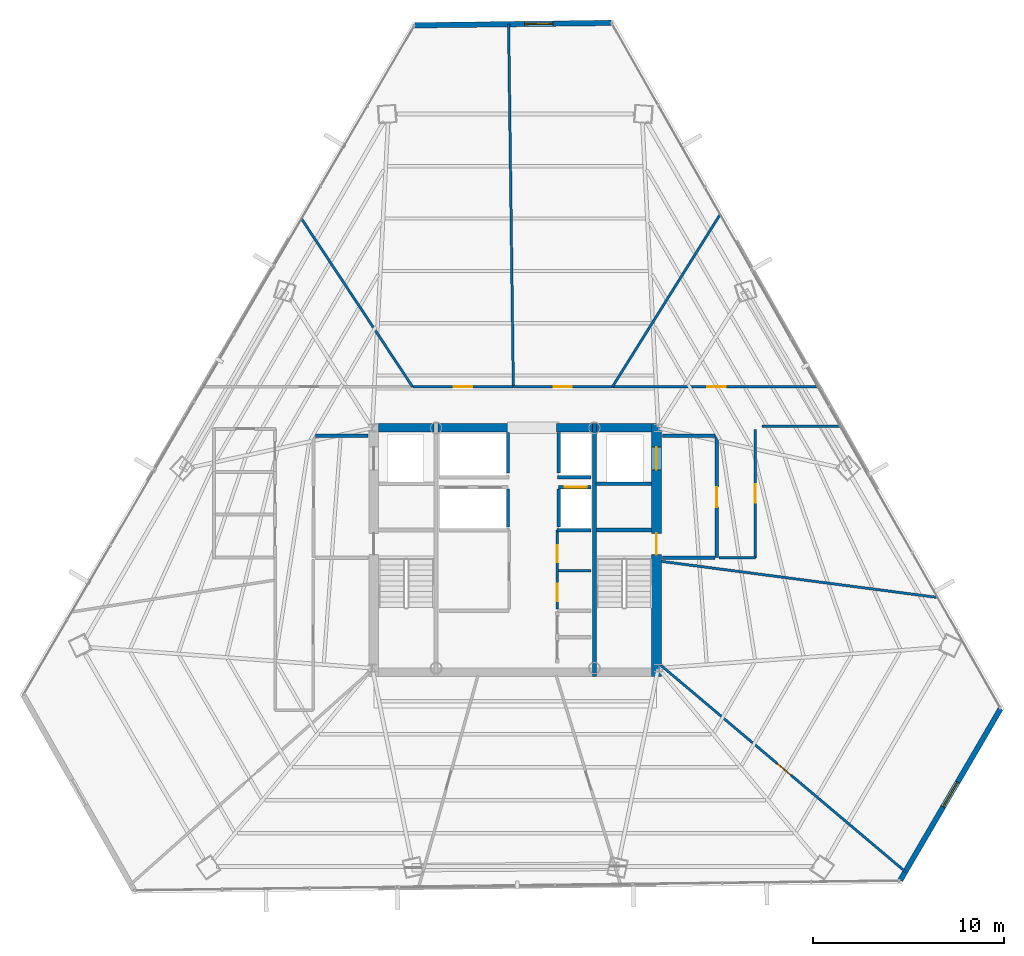
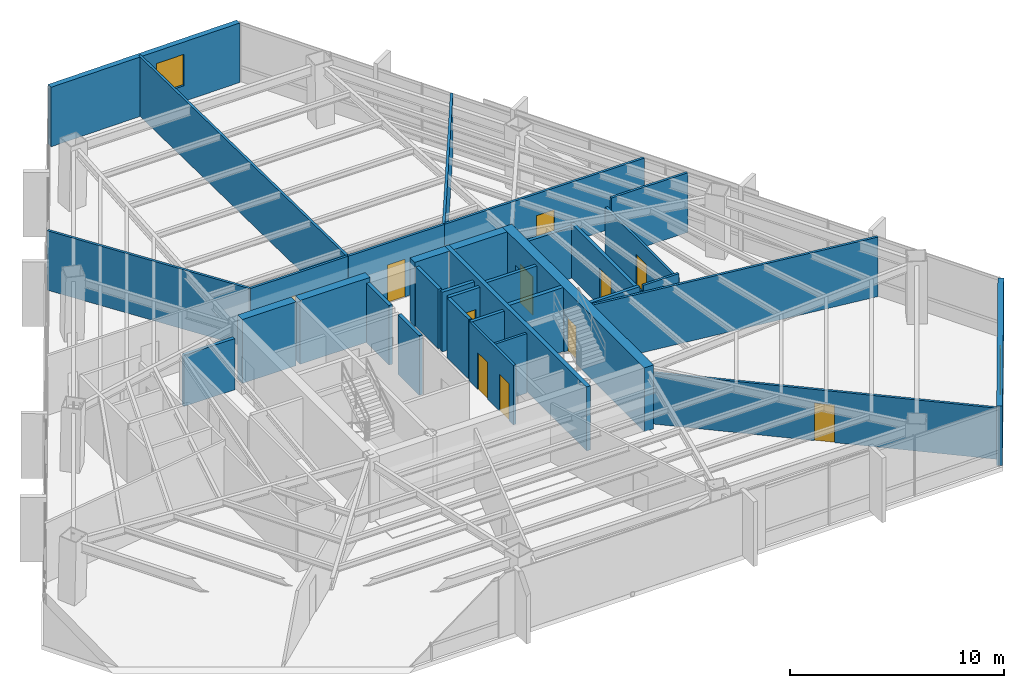
# One storey, part 37 of 41: 34 walls, 11 doors, 2 windows, 13 openings.
"""IFC4 building model written with IfcOpenShell, lengths in metres."""

from ifc_helpers import new_model, si_unit, direction, frame, frame_2d, origin, place, context, subcontext, project, spatial, rectangle, extrude, material, layer, layer_set, type_object, element, fill, save


model = new_model("IFC4")

# Units and contexts
model_context = context("Model", 3, precision=1e-05, world=origin(), true_north=direction((0.0, 1.0)))
body_context = subcontext(model_context, "Body", "Model", "MODEL_VIEW")
ifc_project = project(units=[si_unit("LENGTHUNIT", "METRE"), si_unit("AREAUNIT", "SQUARE_METRE"), si_unit("VOLUMEUNIT", "CUBIC_METRE"), si_unit("PLANEANGLEUNIT", "RADIAN"), si_unit("MASSUNIT", "GRAM", prefix="KILO")], contexts=[model_context])

# Site, building, storey
site_placement = place(None, origin())
site = spatial("IfcSite", under=ifc_project, at=site_placement, CompositionType="ELEMENT")
building_placement = place(site_placement, origin())
building = spatial("IfcBuilding", under=site, at=building_placement, Name="Caelisora Broadcast Tower", CompositionType="ELEMENT")
storey_placement = place(building_placement, frame((0.0, 0.0, 135.449951171875)))
storey = spatial("IfcBuildingStorey", under=building, at=storey_placement, Name="L35", CompositionType="ELEMENT", Elevation=135.449951171875)

# Wall, openings, doors
ifc_material_1 = material(Name="Concrete 50 MPa (AS 3600 S50)", Category="concrete")
ifc_layer_1 = layer(ifc_material_1, 0.5, Name="Concrete 50 MPa (AS 3600 S50)")
ifc_layer_set_1 = layer_set([ifc_layer_1], Name="Concrete 50 MPa (AS 3600 S50)")
wall_type_1 = type_object("IfcWallType", Name="CW2", PredefinedType="SHEAR", material=ifc_layer_set_1)
wall_1_placement = place(storey_placement, frame((45.409912109375, 16.949951171875, 0.0), z_axis=(0.0, 0.0, 1.0), x_axis=(0.0, 1.0, 0.0)))
wall_1 = element("IfcWall", 1, at=wall_1_placement, inside=storey, type_object=wall_type_1, Name="L35 core shear wall CW2", PredefinedType="SHEAR", context=body_context, shape_type="SweptSolid", body=[
    extrude(rectangle(XDim=13.275146484375, YDim=0.5, at=frame_2d((6.6376953125, 0.0))), origin(), (0.0, 0.0, 1.0), 3.650146484375),
])
opening_1_placement = place(wall_1_placement, frame((6.39990234375, 0.0, 0.0)))
opening_1 = element("IfcOpeningElement", 2, at=opening_1_placement, cuts=wall_1, Name="Opening FD04", PredefinedType="OPENING", context=body_context, shape_type="SweptSolid", body=[
    extrude(rectangle(XDim=1.1201171875, YDim=2.14990234375, at=frame_2d((0.56005859375, 1.074951171875))), frame((0.0, 0.261962890625, 0.0), z_axis=(0.0, -1.0, 0.0), x_axis=(1.0, 0.0, 0.0)), (0.0, 0.0, 1.0), 0.52392578125),
])
opening_2_placement = place(wall_1_placement, frame((10.85009765625, 0.0, 0.0)))
opening_2 = element("IfcOpeningElement", 3, at=opening_2_placement, cuts=wall_1, Name="Opening LD04", PredefinedType="OPENING", context=body_context, shape_type="SweptSolid", body=[
    extrude(rectangle(XDim=1.199951171875, YDim=2.199951171875, at=frame_2d((0.60009765625, 1.10009765625))), frame((0.0, 0.261962890625, 0.0), z_axis=(0.0, -1.0, 0.0), x_axis=(1.0, 0.0, 0.0)), (0.0, 0.0, 1.0), 0.52392578125),
])
ifc_material_2 = material(Name="Pressurised Fire-Isolated Stair Door", Category="steel")
door_type_1 = type_object("IfcDoorType", Name="FD04", OperationType="NOTDEFINED", PredefinedType="DOOR", material=ifc_material_2)
door_1_placement = place(opening_1_placement, origin())
door_1 = element("IfcDoor", 4, at=door_1_placement, inside=storey, type_object=door_type_1, Name="L35 door FD04 (L35-DR-ST2)", OperationType="SINGLE_SWING_RIGHT", OverallHeight=2.14990234375, OverallWidth=1.1201171875, PredefinedType="DOOR", context=body_context, shape_type="SweptSolid", body=[
    extrude(rectangle(XDim=1.1201171875, YDim=2.14990234375, at=frame_2d((0.56005859375, 1.074951171875))), frame((0.0, 0.02490234375, 0.0), z_axis=(0.0, -1.0, 0.0), x_axis=(1.0, 0.0, 0.0)), (0.0, 0.0, 1.0), 0.050048828125),
])
fill(opening_1, door_1)
ifc_material_3 = material(Name="Emergency Firefighting Lift Sliding Landing Door", Category="steel")
door_type_2 = type_object("IfcDoorType", Name="LD04", OperationType="NOTDEFINED", PredefinedType="DOOR", material=ifc_material_3)
door_2_placement = place(opening_2_placement, origin())
door_2 = element("IfcDoor", 5, at=door_2_placement, inside=storey, type_object=door_type_2, Name="L35 door LD04 (L35-LD-FFL2)", OperationType="SLIDING_TO_RIGHT", OverallHeight=2.199951171875, OverallWidth=1.199951171875, PredefinedType="DOOR", context=body_context, shape_type="SweptSolid", body=[
    extrude(rectangle(XDim=1.199951171875, YDim=2.199951171875, at=frame_2d((0.60009765625, 1.10009765625))), frame((0.0, 0.02490234375, 0.0), z_axis=(0.0, -1.0, 0.0), x_axis=(1.0, 0.0, 0.0)), (0.0, 0.0, 1.0), 0.050048828125),
])
fill(opening_2, door_2)

# Walls
ifc_layer_2 = layer(ifc_material_1, 0.449951171875, Name="Concrete 50 MPa (AS 3600 S50)")
ifc_layer_set_2 = layer_set([ifc_layer_2], Name="Concrete 50 MPa (AS 3600 S50)")
wall_type_2 = type_object("IfcWallType", Name="CW5", PredefinedType="SHEAR", material=ifc_layer_set_2)
wall_2_placement = place(storey_placement, frame((30.840087890625, 30.0, 0.0), z_axis=(0.0, 0.0, 1.0), x_axis=(1.0, 0.0, 0.0)))
element("IfcWall", 6, at=wall_2_placement, inside=storey, type_object=wall_type_2, Name="L35 core shear wall CW5", PredefinedType="SHEAR", context=body_context, shape_type="SweptSolid", body=[
    extrude(rectangle(XDim=2.89990234375, YDim=0.449951171875, at=frame_2d((1.449951171875, 0.0))), origin(), (0.0, 0.0, 1.0), 3.650146484375),
])
wall_3_placement = place(storey_placement, frame((33.9599609375, 30.0, 0.0), z_axis=(0.0, 0.0, 1.0), x_axis=(1.0, 0.0, 0.0)))
element("IfcWall", 7, at=wall_3_placement, inside=storey, type_object=wall_type_2, Name="L35 core shear wall CW5", PredefinedType="SHEAR", context=body_context, shape_type="SweptSolid", body=[
    extrude(rectangle(XDim=3.780029296875, YDim=0.449951171875, at=frame_2d((1.89013671875, 0.0))), origin(), (0.0, 0.0, 1.0), 3.650146484375),
])
wall_4_placement = place(storey_placement, frame((40.159912109375, 30.0, 0.0), z_axis=(0.0, 0.0, 1.0), x_axis=(1.0, 0.0, 0.0)))
element("IfcWall", 8, at=wall_4_placement, inside=storey, type_object=wall_type_2, Name="L35 core shear wall CW5", PredefinedType="SHEAR", context=body_context, shape_type="SweptSolid", body=[
    extrude(rectangle(XDim=1.880126953125, YDim=0.449951171875, at=frame_2d((0.93994140625, 0.0))), origin(), (0.0, 0.0, 1.0), 3.650146484375),
])
wall_5_placement = place(storey_placement, frame((42.260009765625, 30.0, 0.0), z_axis=(0.0, 0.0, 1.0), x_axis=(1.0, 0.0, 0.0)))
element("IfcWall", 9, at=wall_5_placement, inside=storey, type_object=wall_type_2, Name="L35 core shear wall CW5", PredefinedType="SHEAR", context=body_context, shape_type="SweptSolid", body=[
    extrude(rectangle(XDim=2.89990234375, YDim=0.449951171875, at=frame_2d((1.449951171875, 0.0))), origin(), (0.0, 0.0, 1.0), 3.650146484375),
])
ifc_layer_3 = layer(ifc_material_1, 0.219970703125, Name="Concrete 50 MPa (AS 3600 S50)")
ifc_layer_set_3 = layer_set([ifc_layer_3], Name="Concrete 50 MPa (AS 3600 S50)")
wall_type_3 = type_object("IfcWallType", Name="CW7", PredefinedType="SHEAR", material=ifc_layer_set_3)
wall_6_placement = place(storey_placement, frame((42.14990234375, 16.949951171875, 0.0), z_axis=(0.0, 0.0, 1.0), x_axis=(0.0, 1.0, 0.0)))
element("IfcWall", 10, at=wall_6_placement, inside=storey, type_object=wall_type_3, Name="L35 core shear wall CW7", PredefinedType="SHEAR", context=body_context, shape_type="SweptSolid", body=[
    extrude(rectangle(XDim=13.275146484375, YDim=0.219970703125, at=frame_2d((6.6376953125, 0.0))), origin(), (0.0, 0.0, 1.0), 3.650146484375),
])
wall_7_placement = place(storey_placement, frame((42.260009765625, 24.639892578125, 0.0), z_axis=(0.0, 0.0, 1.0), x_axis=(1.0, 0.0, 0.0)))
element("IfcWall", 11, at=wall_7_placement, inside=storey, type_object=wall_type_3, Name="L35 core shear wall CW7", PredefinedType="SHEAR", context=body_context, shape_type="SweptSolid", body=[
    extrude(rectangle(XDim=2.89990234375, YDim=0.219970703125, at=frame_2d((1.449951171875, 0.0))), origin(), (0.0, 0.0, 1.0), 3.650146484375),
])

# Wall, opening, window
ifc_material_4 = material(Name="Insulated Terracotta Spandrel Wall System", Category="masonry")
ifc_layer_4 = layer(ifc_material_4, 0.280029296875, Name="Insulated Terracotta Spandrel Wall System")
ifc_layer_set_4 = layer_set([ifc_layer_4], Name="Insulated Terracotta Spandrel Wall System")
wall_type_4 = type_object("IfcWallType", Name="EW1", PredefinedType="STANDARD", material=ifc_layer_set_4)
wall_8_placement = place(storey_placement, frame((63.447998046875, 15.260986328125, 0.0), z_axis=(0.0, 0.0, 1.0), x_axis=(-0.504621827694, -0.86334049541, 0.0)))
wall_8 = element("IfcWall", 12, at=wall_8_placement, inside=storey, type_object=wall_type_4, Name="L35 exterior envelope wall EW1", PredefinedType="STANDARD", context=body_context, shape_type="SweptSolid", body=[
    extrude(rectangle(XDim=10.40966796875, YDim=0.280029296875, at=frame_2d((5.204833984375, 0.0))), origin(), (0.0, 0.0, 1.0), 3.400146484375),
])
opening_3_placement = place(wall_8_placement, frame((4.449951171875, 0.0, 0.89990234375)))
opening_3 = element("IfcOpeningElement", 13, at=opening_3_placement, cuts=wall_8, Name="Opening W02", PredefinedType="OPENING", context=body_context, shape_type="SweptSolid", body=[
    extrude(rectangle(XDim=1.5, YDim=1.800048828125, at=frame_2d((0.75, 0.89990234375))), frame((0.0, 0.152099609375, 0.0), z_axis=(0.0, -1.0, 0.0), x_axis=(1.0, 0.0, 0.0)), (0.0, 0.0, 1.0), 0.303955078125),
])
ifc_material_5 = material(Name="Double Glazed Terracotta-Framed Vision Window", Category="glass")
window_type = type_object("IfcWindowType", Name="W02", PartitioningType="SINGLE_PANEL", PredefinedType="WINDOW", material=ifc_material_5)
window_1_placement = place(opening_3_placement, origin())
window_1 = element("IfcWindow", 14, at=window_1_placement, inside=storey, type_object=window_type, Name="L35 window W02 (L35-WN-CH0)", OverallHeight=1.800048828125, OverallWidth=1.5, PartitioningType="SINGLE_PANEL", PredefinedType="WINDOW", context=body_context, shape_type="SweptSolid", body=[
    extrude(rectangle(XDim=1.5, YDim=1.800048828125, at=frame_2d((0.75, 0.89990234375))), frame((0.0, 0.030029296875, 0.0), z_axis=(0.0, -1.0, 0.0), x_axis=(1.0, 0.0, 0.0)), (0.0, 0.0, 1.0), 0.06005859375),
])
fill(opening_3, window_1)

wall_9_placement = place(storey_placement, frame((32.748046875, 51.115478515625, 0.0), z_axis=(0.0, 0.0, 1.0), x_axis=(0.999919814308, 0.012663528514, 0.0)))
wall_9 = element("IfcWall", 15, at=wall_9_placement, inside=storey, type_object=wall_type_4, Name="L35 exterior envelope wall EW1", PredefinedType="STANDARD", context=body_context, shape_type="SweptSolid", body=[
    extrude(rectangle(XDim=10.275634765625, YDim=0.280029296875, at=frame_2d((5.1376953125, 0.0))), origin(), (0.0, 0.0, 1.0), 3.400146484375),
])
opening_4_placement = place(wall_9_placement, frame((5.739990234375, 0.0, 0.89990234375)))
opening_4 = element("IfcOpeningElement", 16, at=opening_4_placement, cuts=wall_9, Name="Opening W02", PredefinedType="OPENING", context=body_context, shape_type="SweptSolid", body=[
    extrude(rectangle(XDim=1.5, YDim=1.800048828125, at=frame_2d((0.75, 0.89990234375))), frame((0.0, 0.152099609375, 0.0), z_axis=(0.0, -1.0, 0.0), x_axis=(1.0, 0.0, 0.0)), (0.0, 0.0, 1.0), 0.303955078125),
])
window_2_placement = place(opening_4_placement, origin())
window_2 = element("IfcWindow", 17, at=window_2_placement, inside=storey, type_object=window_type, Name="L35 window W02 (L35-WN-CH8)", OverallHeight=1.800048828125, OverallWidth=1.5, PartitioningType="SINGLE_PANEL", PredefinedType="WINDOW", context=body_context, shape_type="SweptSolid", body=[
    extrude(rectangle(XDim=1.5, YDim=1.800048828125, at=frame_2d((0.75, 0.89990234375))), frame((0.0, 0.030029296875, 0.0), z_axis=(0.0, -1.0, 0.0), x_axis=(1.0, 0.0, 0.0)), (0.0, 0.0, 1.0), 0.06005859375),
])
fill(opening_4, window_2)

# Wall, opening, door
ifc_material_6 = material(Name="Fire-Rated Gypsum Shaft and Compartment Wall", Category="gypsum")
ifc_layer_5 = layer(ifc_material_6, 0.179931640625, Name="Fire-Rated Gypsum Shaft and Compartment Wall")
ifc_layer_set_5 = layer_set([ifc_layer_5], Name="Fire-Rated Gypsum Shaft and Compartment Wall")
wall_type_5 = type_object("IfcWallType", Name="PW2", PredefinedType="PARTITIONING", material=ifc_layer_set_5)
wall_10_placement = place(storey_placement, frame((40.280029296875, 26.89990234375, 0.0), z_axis=(0.0, 0.0, 1.0), x_axis=(1.0, 0.0, 0.0)))
wall_10 = element("IfcWall", 18, at=wall_10_placement, inside=storey, type_object=wall_type_5, Name="L35 fire compartment wall PW2", PredefinedType="PARTITIONING", context=body_context, shape_type="SweptSolid", body=[
    extrude(rectangle(XDim=1.699951171875, YDim=0.179931640625, at=frame_2d((0.85009765625, 0.0))), origin(), (0.0, 0.0, 1.0), 3.400146484375),
])
opening_5_placement = place(wall_10_placement, frame((0.320068359375, 0.0, 0.0)))
opening_5 = element("IfcOpeningElement", 19, at=opening_5_placement, cuts=wall_10, Name="Opening LD02", PredefinedType="OPENING", context=body_context, shape_type="SweptSolid", body=[
    extrude(rectangle(XDim=1.14990234375, YDim=2.199951171875, at=frame_2d((0.574951171875, 1.10009765625))), frame((0.0, 0.10205078125, 0.0), z_axis=(0.0, -1.0, 0.0), x_axis=(1.0, 0.0, 0.0)), (0.0, 0.0, 1.0), 0.203857421875),
])
ifc_material_7 = material(Name="High-Speed Express Lift Sliding Landing Door", Category="steel")
door_type_3 = type_object("IfcDoorType", Name="LD02", OperationType="NOTDEFINED", PredefinedType="DOOR", material=ifc_material_7)
door_3_placement = place(opening_5_placement, origin())
door_3 = element("IfcDoor", 20, at=door_3_placement, inside=storey, type_object=door_type_3, Name="L35 door LD02 (L35-LD-PLM3)", OperationType="SLIDING_TO_LEFT", OverallHeight=2.199951171875, OverallWidth=1.14990234375, PredefinedType="DOOR", context=body_context, shape_type="SweptSolid", body=[
    extrude(rectangle(XDim=1.14990234375, YDim=2.199951171875, at=frame_2d((0.574951171875, 1.10009765625))), frame((0.0, 0.02490234375, 0.0), z_axis=(0.0, -1.0, 0.0), x_axis=(1.0, 0.0, 0.0)), (0.0, 0.0, 1.0), 0.050048828125),
])
fill(opening_5, door_3)

# Walls
for number, where, z_axis, x_axis, name in (
    (21, (37.6201171875, 24.800048828125, 0.0), (0.0, 0.0, 1.0), (0.0, 1.0, 0.0), "L35 fire compartment wall PW2"),
    (22, (40.280029296875, 24.800048828125, 0.0), (0.0, 0.0, 1.0), (0.0, 1.0, 0.0), "L35 fire compartment wall PW2"),
):
    element("IfcWall", number, at=place(storey_placement, frame(where, z_axis=z_axis, x_axis=x_axis)), inside=storey, type_object=wall_type_5, Name=name, PredefinedType="PARTITIONING", context=body_context, shape_type="SweptSolid", body=[
        extrude(rectangle(XDim=2.0, YDim=0.179931640625, at=frame_2d((1.0, 0.0))), origin(), (0.0, 0.0, 1.0), 3.400146484375),
    ])
wall_11_placement = place(storey_placement, frame((40.199951171875, 24.639892578125, 0.0), z_axis=(0.0, 0.0, 1.0), x_axis=(1.0, 0.0, 0.0)))
element("IfcWall", 23, at=wall_11_placement, inside=storey, type_object=wall_type_5, Name="L35 fire compartment wall PW2", PredefinedType="PARTITIONING", context=body_context, shape_type="SweptSolid", body=[
    extrude(rectangle(XDim=1.780029296875, YDim=0.179931640625, at=frame_2d((0.89013671875, 0.0))), origin(), (0.0, 0.0, 1.0), 3.400146484375),
])
wall_12_placement = place(storey_placement, frame((40.219970703125, 27.419921875, 0.0), z_axis=(0.0, 0.0, 1.0), x_axis=(1.0, 0.0, 0.0)))
element("IfcWall", 24, at=wall_12_placement, inside=storey, type_object=wall_type_5, Name="L35 fire compartment wall PW2", PredefinedType="PARTITIONING", context=body_context, shape_type="SweptSolid", body=[
    extrude(rectangle(XDim=1.760009765625, YDim=0.179931640625, at=frame_2d((0.8798828125, 0.0))), origin(), (0.0, 0.0, 1.0), 3.400146484375),
])
for number, where, z_axis, x_axis, name in (
    (25, (37.6201171875, 27.639892578125, 0.0), (0.0, 0.0, 1.0), (0.0, 1.0, 0.0), "L35 fire compartment wall PW2"),
    (26, (40.280029296875, 27.639892578125, 0.0), (0.0, 0.0, 1.0), (0.0, 1.0, 0.0), "L35 fire compartment wall PW2"),
):
    element("IfcWall", number, at=place(storey_placement, frame(where, z_axis=z_axis, x_axis=x_axis)), inside=storey, type_object=wall_type_5, Name=name, PredefinedType="PARTITIONING", context=body_context, shape_type="SweptSolid", body=[
        extrude(rectangle(XDim=2.110107421875, YDim=0.179931640625, at=frame_2d((1.05517578125, 0.0))), origin(), (0.0, 0.0, 1.0), 3.400146484375),
    ])
wall_13_placement = place(storey_placement, frame((27.52001953125, 29.60009765625, 0.0), z_axis=(0.0, 0.0, 1.0), x_axis=(1.0, 0.0, 0.0)))
element("IfcWall", 27, at=wall_13_placement, inside=storey, type_object=wall_type_5, Name="L35 fire compartment wall PW2", PredefinedType="PARTITIONING", context=body_context, shape_type="SweptSolid", body=[
    extrude(rectangle(XDim=2.760009765625, YDim=0.179931640625, at=frame_2d((1.3798828125, 0.0))), origin(), (0.0, 0.0, 1.0), 2.924560546875),
])

# Wall, opening, door
wall_14_placement = place(storey_placement, frame((48.580078125, 23.199951171875, 0.0), z_axis=(0.0, 0.0, 1.0), x_axis=(0.0, 1.0, 0.0)))
wall_14 = element("IfcWall", 28, at=wall_14_placement, inside=storey, type_object=wall_type_5, Name="L35 fire compartment wall PW2", PredefinedType="PARTITIONING", context=body_context, shape_type="SweptSolid", body=[
    extrude(rectangle(XDim=6.400146484375, YDim=0.179931640625, at=frame_2d((3.2001953125, 0.0))), origin(), (0.0, 0.0, 1.0), 3.077880859375),
])
opening_6_placement = place(wall_14_placement, frame((2.64990234375, 0.0, 0.0)))
opening_6 = element("IfcOpeningElement", 29, at=opening_6_placement, cuts=wall_14, Name="Opening FD02", PredefinedType="OPENING", context=body_context, shape_type="SweptSolid", body=[
    extrude(rectangle(XDim=1.050048828125, YDim=2.14990234375, at=frame_2d((0.52490234375, 1.074951171875))), frame((0.0, 0.10205078125, 0.0), z_axis=(0.0, -1.0, 0.0), x_axis=(1.0, 0.0, 0.0)), (0.0, 0.0, 1.0), 0.203857421875),
])
ifc_material_8 = material(Name="Single-Leaf Steel Fire Lobby Door", Category="steel")
door_type_4 = type_object("IfcDoorType", Name="FD02", OperationType="NOTDEFINED", PredefinedType="DOOR", material=ifc_material_8)
door_4_placement = place(opening_6_placement, origin())
door_4 = element("IfcDoor", 30, at=door_4_placement, inside=storey, type_object=door_type_4, Name="L35 door FD02 (L35-DR-P04D1)", OperationType="SINGLE_SWING_LEFT", OverallHeight=2.14990234375, OverallWidth=1.050048828125, PredefinedType="DOOR", context=body_context, shape_type="SweptSolid", body=[
    extrude(rectangle(XDim=1.050048828125, YDim=2.14990234375, at=frame_2d((0.52490234375, 1.074951171875))), frame((0.0, 0.02490234375, 0.0), z_axis=(0.0, -1.0, 0.0), x_axis=(1.0, 0.0, 0.0)), (0.0, 0.0, 1.0), 0.050048828125),
])
fill(opening_6, door_4)

# Walls
wall_15_placement = place(storey_placement, frame((45.719970703125, 23.199951171875, 0.0), z_axis=(0.0, 0.0, 1.0), x_axis=(1.0, 0.0, 0.0)))
element("IfcWall", 31, at=wall_15_placement, inside=storey, type_object=wall_type_5, Name="L35 fire compartment wall PW2", PredefinedType="PARTITIONING", context=body_context, shape_type="SweptSolid", body=[
    extrude(rectangle(XDim=2.760009765625, YDim=0.179931640625, at=frame_2d((1.3798828125, 0.0))), origin(), (0.0, 0.0, 1.0), 3.400146484375),
])
wall_16_placement = place(storey_placement, frame((45.719970703125, 29.60009765625, 0.0), z_axis=(0.0, 0.0, 1.0), x_axis=(1.0, 0.0, 0.0)))
element("IfcWall", 32, at=wall_16_placement, inside=storey, type_object=wall_type_5, Name="L35 fire compartment wall PW2", PredefinedType="PARTITIONING", context=body_context, shape_type="SweptSolid", body=[
    extrude(rectangle(XDim=2.760009765625, YDim=0.179931640625, at=frame_2d((1.3798828125, 0.0))), origin(), (0.0, 0.0, 1.0), 2.924560546875),
])
wall_17_placement = place(storey_placement, frame((42.239990234375, 27.070068359375, 0.0), z_axis=(0.0, 0.0, 1.0), x_axis=(1.0, 0.0, 0.0)))
element("IfcWall", 33, at=wall_17_placement, inside=storey, type_object=wall_type_5, Name="L35 fire compartment wall PW2", PredefinedType="PARTITIONING", context=body_context, shape_type="SweptSolid", body=[
    extrude(rectangle(XDim=2.89990234375, YDim=0.179931640625, at=frame_2d((1.449951171875, 0.0))), origin(), (0.0, 0.0, 1.0), 3.400146484375),
])
ifc_material_9 = material(Name="Acoustic Steel-Stud Plasterboard Partition", Category="gypsum")
ifc_layer_6 = layer(ifc_material_9, 0.1298828125, Name="Acoustic Steel-Stud Plasterboard Partition")
ifc_layer_set_6 = layer_set([ifc_layer_6], Name="Acoustic Steel-Stud Plasterboard Partition")
wall_type_6 = type_object("IfcWallType", Name="PW3", PredefinedType="PARTITIONING", material=ifc_layer_set_6)
wall_18_placement = place(storey_placement, frame((40.280029296875, 22.5, 0.0), z_axis=(0.0, 0.0, 1.0), x_axis=(1.0, 0.0, 0.0)))
element("IfcWall", 34, at=wall_18_placement, inside=storey, type_object=wall_type_6, Name="L35 internal partition PW3", PredefinedType="PARTITIONING", context=body_context, shape_type="SweptSolid", body=[
    extrude(rectangle(XDim=1.699951171875, YDim=0.1298828125, at=frame_2d((0.85009765625, 0.0))), origin(), (0.0, 0.0, 1.0), 3.400146484375),
])

# Wall, openings, doors
wall_19_placement = place(storey_placement, frame((40.199951171875, 20.5, 0.0), z_axis=(0.0, 0.0, 1.0), x_axis=(0.0, 1.0, 0.0)))
wall_19 = element("IfcWall", 35, at=wall_19_placement, inside=storey, type_object=wall_type_6, Name="L35 internal partition PW3", PredefinedType="PARTITIONING", context=body_context, shape_type="SweptSolid", body=[
    extrude(rectangle(XDim=4.139892578125, YDim=0.1298828125, at=frame_2d((2.06982421875, 0.0))), origin(), (0.0, 0.0, 1.0), 3.400146484375),
])
opening_7_placement = place(wall_19_placement, frame((0.419921875, 0.0, 0.0)))
opening_7 = element("IfcOpeningElement", 36, at=opening_7_placement, cuts=wall_19, Name="Opening FD03", PredefinedType="OPENING", context=body_context, shape_type="SweptSolid", body=[
    extrude(rectangle(XDim=0.89990234375, YDim=2.10009765625, at=frame_2d((0.449951171875, 1.050048828125))), frame((0.0, 0.076904296875, 0.0), z_axis=(0.0, -1.0, 0.0), x_axis=(1.0, 0.0, 0.0)), (0.0, 0.0, 1.0), 0.15380859375),
])
opening_8_placement = place(wall_19_placement, frame((2.449951171875, 0.0, 0.0)))
opening_8 = element("IfcOpeningElement", 37, at=opening_8_placement, cuts=wall_19, Name="Opening FD03", PredefinedType="OPENING", context=body_context, shape_type="SweptSolid", body=[
    extrude(rectangle(XDim=0.89990234375, YDim=2.10009765625, at=frame_2d((0.449951171875, 1.050048828125))), frame((0.0, 0.076904296875, 0.0), z_axis=(0.0, -1.0, 0.0), x_axis=(1.0, 0.0, 0.0)), (0.0, 0.0, 1.0), 0.15380859375),
])
ifc_material_10 = material(Name="Single-Leaf Steel Riser Fire Access Door", Category="steel")
door_type_5 = type_object("IfcDoorType", Name="FD03", OperationType="NOTDEFINED", PredefinedType="DOOR", material=ifc_material_10)
door_5_placement = place(opening_7_placement, origin())
door_5 = element("IfcDoor", 38, at=door_5_placement, inside=storey, type_object=door_type_5, Name="L35 door FD03 (L35-DR-P13D1)", OperationType="SINGLE_SWING_LEFT", OverallHeight=2.10009765625, OverallWidth=0.89990234375, PredefinedType="DOOR", context=body_context, shape_type="SweptSolid", body=[
    extrude(rectangle(XDim=0.89990234375, YDim=2.10009765625, at=frame_2d((0.449951171875, 1.050048828125))), frame((0.0, 0.02490234375, 0.0), z_axis=(0.0, -1.0, 0.0), x_axis=(1.0, 0.0, 0.0)), (0.0, 0.0, 1.0), 0.050048828125),
])
fill(opening_7, door_5)
door_6_placement = place(opening_8_placement, origin())
door_6 = element("IfcDoor", 39, at=door_6_placement, inside=storey, type_object=door_type_5, Name="L35 door FD03 (L35-DR-P13D2)", OperationType="SINGLE_SWING_RIGHT", OverallHeight=2.10009765625, OverallWidth=0.89990234375, PredefinedType="DOOR", context=body_context, shape_type="SweptSolid", body=[
    extrude(rectangle(XDim=0.89990234375, YDim=2.10009765625, at=frame_2d((0.449951171875, 1.050048828125))), frame((0.0, 0.02490234375, 0.0), z_axis=(0.0, -1.0, 0.0), x_axis=(1.0, 0.0, 0.0)), (0.0, 0.0, 1.0), 0.050048828125),
])
fill(opening_8, door_6)

# Wall
wall_20_placement = place(storey_placement, frame((37.6513671875, 51.1826171875, 0.0), z_axis=(0.0, 0.0, 1.0), x_axis=(0.013060717886, -0.999914705187, 0.0)))
element("IfcWall", 40, at=wall_20_placement, inside=storey, type_object=wall_type_6, Name="L35 internal partition PW3", PredefinedType="PARTITIONING", context=body_context, shape_type="SweptSolid", body=[
    extrude(rectangle(XDim=19.029296875, YDim=0.1298828125, at=frame_2d((9.5146484375, 0.0))), origin(), (0.0, 0.0, 1.0), 3.400146484375),
])

# Wall, opening, door
wall_21_placement = place(storey_placement, frame((45.656982421875, 17.531982421875, 0.0), z_axis=(0.0, 0.0, 1.0), x_axis=(0.764236058159, -0.644936622785, 0.0)))
wall_21 = element("IfcWall", 41, at=wall_21_placement, inside=storey, type_object=wall_type_6, Name="L35 internal partition PW3", PredefinedType="PARTITIONING", context=body_context, shape_type="SweptSolid", body=[
    extrude(rectangle(XDim=16.75830078125, YDim=0.1298828125, at=frame_2d((8.379150390625, 0.0))), origin(), (0.0, 0.0, 1.0), 2.924560546875),
])
opening_9_placement = place(wall_21_placement, frame((7.948974609375, 0.0, 0.0)))
opening_9 = element("IfcOpeningElement", 42, at=opening_9_placement, cuts=wall_21, Name="Opening D01", PredefinedType="OPENING", context=body_context, shape_type="SweptSolid", body=[
    extrude(rectangle(XDim=0.9599609375, YDim=2.14990234375, at=frame_2d((0.47998046875, 1.074951171875))), frame((0.0, 0.076904296875, 0.0), z_axis=(0.0, -1.0, 0.0), x_axis=(1.0, 0.0, 0.0)), (0.0, 0.0, 1.0), 0.15380859375),
])
ifc_material_11 = material(Name="Solid-Core Timber Acoustic Office Door", Category="wood")
door_type_6 = type_object("IfcDoorType", Name="D01", OperationType="NOTDEFINED", PredefinedType="DOOR", material=ifc_material_11)
door_7_placement = place(opening_9_placement, origin())
door_7 = element("IfcDoor", 43, at=door_7_placement, inside=storey, type_object=door_type_6, Name="L35 door D01 (L35-DR-P28D1)", OperationType="SINGLE_SWING_RIGHT", OverallHeight=2.14990234375, OverallWidth=0.9599609375, PredefinedType="DOOR", context=body_context, shape_type="SweptSolid", body=[
    extrude(rectangle(XDim=0.9599609375, YDim=2.14990234375, at=frame_2d((0.47998046875, 1.074951171875))), frame((0.0, 0.02490234375, 0.0), z_axis=(0.0, -1.0, 0.0), x_axis=(1.0, 0.0, 0.0)), (0.0, 0.0, 1.0), 0.050048828125),
])
fill(opening_9, door_7)

# Wall
wall_22_placement = place(storey_placement, frame((45.674072265625, 23.0, 0.0), z_axis=(0.0, 0.0, 1.0), x_axis=(0.991568990445, -0.129579848696, 0.0)))
element("IfcWall", 44, at=wall_22_placement, inside=storey, type_object=wall_type_6, Name="L35 internal partition PW3", PredefinedType="PARTITIONING", context=body_context, shape_type="SweptSolid", body=[
    extrude(rectangle(XDim=14.614990234375, YDim=0.1298828125, at=frame_2d((7.3076171875, 0.0))), origin(), (0.0, 0.0, 1.0), 3.400146484375),
])

# Wall, opening, door
wall_23_placement = place(storey_placement, frame((43.094970703125, 32.14990234375, 0.0), z_axis=(0.0, 0.0, 1.0), x_axis=(1.0, 0.0, 0.0)))
wall_23 = element("IfcWall", 45, at=wall_23_placement, inside=storey, type_object=wall_type_6, Name="L35 internal partition PW3", PredefinedType="PARTITIONING", context=body_context, shape_type="SweptSolid", body=[
    extrude(rectangle(XDim=10.802490234375, YDim=0.1298828125, at=frame_2d((5.4013671875, 0.0))), origin(), (0.0, 0.0, 1.0), 3.400146484375),
])
opening_10_placement = place(wall_23_placement, frame((4.97705078125, 0.0, 0.0)))
opening_10 = element("IfcOpeningElement", 46, at=opening_10_placement, cuts=wall_23, Name="Opening D01", PredefinedType="OPENING", context=body_context, shape_type="SweptSolid", body=[
    extrude(rectangle(XDim=0.9599609375, YDim=2.14990234375, at=frame_2d((0.47998046875, 1.074951171875))), frame((0.0, 0.076904296875, 0.0), z_axis=(0.0, -1.0, 0.0), x_axis=(1.0, 0.0, 0.0)), (0.0, 0.0, 1.0), 0.15380859375),
])
door_8_placement = place(opening_10_placement, origin())
door_8 = element("IfcDoor", 47, at=door_8_placement, inside=storey, type_object=door_type_6, Name="L35 door D01 (L35-DR-P35D1)", OperationType="SINGLE_SWING_LEFT", OverallHeight=2.14990234375, OverallWidth=0.9599609375, PredefinedType="DOOR", context=body_context, shape_type="SweptSolid", body=[
    extrude(rectangle(XDim=0.9599609375, YDim=2.14990234375, at=frame_2d((0.47998046875, 1.074951171875))), frame((0.0, 0.02490234375, 0.0), z_axis=(0.0, -1.0, 0.0), x_axis=(1.0, 0.0, 0.0)), (0.0, 0.0, 1.0), 0.050048828125),
])
fill(opening_10, door_8)

# Walls
wall_24_placement = place(storey_placement, frame((43.093017578125, 32.154052734375, 0.0), z_axis=(0.0, 0.0, 1.0), x_axis=(0.530044140733, 0.847970051874, 0.0)))
element("IfcWall", 48, at=wall_24_placement, inside=storey, type_object=wall_type_6, Name="L35 internal partition PW3", PredefinedType="PARTITIONING", context=body_context, shape_type="SweptSolid", body=[
    extrude(rectangle(XDim=10.680908203125, YDim=0.1298828125, at=frame_2d((5.34033203125, 0.0))), origin(), (0.0, 0.0, 1.0), 3.400146484375),
])
wall_25_placement = place(storey_placement, frame((26.7861328125, 40.974853515625, 0.0), z_axis=(0.0, 0.0, 1.0), x_axis=(0.551440367019, -0.834214313964, 0.0)))
element("IfcWall", 49, at=wall_25_placement, inside=storey, type_object=wall_type_6, Name="L35 internal partition PW3", PredefinedType="PARTITIONING", context=body_context, shape_type="SweptSolid", body=[
    extrude(rectangle(XDim=10.57373046875, YDim=0.1298828125, at=frame_2d((5.286865234375, 0.0))), origin(), (0.0, 0.0, 1.0), 3.400146484375),
])

# Wall, opening, door
wall_26_placement = place(storey_placement, frame((50.60009765625, 23.18505859375, 0.0), z_axis=(0.0, 0.0, 1.0), x_axis=(0.0, 1.0, 0.0)))
wall_26 = element("IfcWall", 50, at=wall_26_placement, inside=storey, type_object=wall_type_6, Name="L35 internal partition PW3", PredefinedType="PARTITIONING", context=body_context, shape_type="SweptSolid", body=[
    extrude(rectangle(XDim=6.744873046875, YDim=0.1298828125, at=frame_2d((3.37255859375, 0.0))), origin(), (0.0, 0.0, 1.0), 3.077880859375),
])
opening_11_placement = place(wall_26_placement, frame((2.89306640625, 0.0, 0.0)))
opening_11 = element("IfcOpeningElement", 51, at=opening_11_placement, cuts=wall_26, Name="Opening D01", PredefinedType="OPENING", context=body_context, shape_type="SweptSolid", body=[
    extrude(rectangle(XDim=0.9599609375, YDim=2.14990234375, at=frame_2d((0.47998046875, 1.074951171875))), frame((0.0, 0.076904296875, 0.0), z_axis=(0.0, -1.0, 0.0), x_axis=(1.0, 0.0, 0.0)), (0.0, 0.0, 1.0), 0.15380859375),
])
door_9_placement = place(opening_11_placement, origin())
door_9 = element("IfcDoor", 52, at=door_9_placement, inside=storey, type_object=door_type_6, Name="L35 door D01 (L35-DR-P42D1)", OperationType="SINGLE_SWING_LEFT", OverallHeight=2.14990234375, OverallWidth=0.9599609375, PredefinedType="DOOR", context=body_context, shape_type="SweptSolid", body=[
    extrude(rectangle(XDim=0.9599609375, YDim=2.14990234375, at=frame_2d((0.47998046875, 1.074951171875))), frame((0.0, 0.02490234375, 0.0), z_axis=(0.0, -1.0, 0.0), x_axis=(1.0, 0.0, 0.0)), (0.0, 0.0, 1.0), 0.050048828125),
])
fill(opening_11, door_9)

wall_27_placement = place(storey_placement, frame((32.625, 32.14990234375, 0.0), z_axis=(0.0, 0.0, 1.0), x_axis=(1.0, 0.0, 0.0)))
wall_27 = element("IfcWall", 53, at=wall_27_placement, inside=storey, type_object=wall_type_6, Name="L35 internal partition PW3", PredefinedType="PARTITIONING", context=body_context, shape_type="SweptSolid", body=[
    extrude(rectangle(XDim=5.27001953125, YDim=0.1298828125, at=frame_2d((2.635009765625, 0.0))), origin(), (0.0, 0.0, 1.0), 3.400146484375),
])
opening_12_placement = place(wall_27_placement, frame((2.155029296875, 0.0, 0.0)))
opening_12 = element("IfcOpeningElement", 54, at=opening_12_placement, cuts=wall_27, Name="Opening D01", PredefinedType="OPENING", context=body_context, shape_type="SweptSolid", body=[
    extrude(rectangle(XDim=0.9599609375, YDim=2.14990234375, at=frame_2d((0.47998046875, 1.074951171875))), frame((0.0, 0.076904296875, 0.0), z_axis=(0.0, -1.0, 0.0), x_axis=(1.0, 0.0, 0.0)), (0.0, 0.0, 1.0), 0.15380859375),
])
door_10_placement = place(opening_12_placement, origin())
door_10 = element("IfcDoor", 55, at=door_10_placement, inside=storey, type_object=door_type_6, Name="L35 door D01 (L35-DR-P43D1)", OperationType="SINGLE_SWING_RIGHT", OverallHeight=2.14990234375, OverallWidth=0.9599609375, PredefinedType="DOOR", context=body_context, shape_type="SweptSolid", body=[
    extrude(rectangle(XDim=0.9599609375, YDim=2.14990234375, at=frame_2d((0.47998046875, 1.074951171875))), frame((0.0, 0.02490234375, 0.0), z_axis=(0.0, -1.0, 0.0), x_axis=(1.0, 0.0, 0.0)), (0.0, 0.0, 1.0), 0.050048828125),
])
fill(opening_12, door_10)

wall_28_placement = place(storey_placement, frame((37.905029296875, 32.14990234375, 0.0), z_axis=(0.0, 0.0, 1.0), x_axis=(1.0, 0.0, 0.0)))
wall_28 = element("IfcWall", 56, at=wall_28_placement, inside=storey, type_object=wall_type_6, Name="L35 internal partition PW3", PredefinedType="PARTITIONING", context=body_context, shape_type="SweptSolid", body=[
    extrude(rectangle(XDim=5.179931640625, YDim=0.1298828125, at=frame_2d((2.58984375, 0.0))), origin(), (0.0, 0.0, 1.0), 3.400146484375),
])
opening_13_placement = place(wall_28_placement, frame((2.110107421875, 0.0, 0.0)))
opening_13 = element("IfcOpeningElement", 57, at=opening_13_placement, cuts=wall_28, Name="Opening D01", PredefinedType="OPENING", context=body_context, shape_type="SweptSolid", body=[
    extrude(rectangle(XDim=0.9599609375, YDim=2.14990234375, at=frame_2d((0.47998046875, 1.074951171875))), frame((0.0, 0.076904296875, 0.0), z_axis=(0.0, -1.0, 0.0), x_axis=(1.0, 0.0, 0.0)), (0.0, 0.0, 1.0), 0.15380859375),
])
door_11_placement = place(opening_13_placement, origin())
door_11 = element("IfcDoor", 58, at=door_11_placement, inside=storey, type_object=door_type_6, Name="L35 door D01 (L35-DR-P44D1)", OperationType="SINGLE_SWING_LEFT", OverallHeight=2.14990234375, OverallWidth=0.9599609375, PredefinedType="DOOR", context=body_context, shape_type="SweptSolid", body=[
    extrude(rectangle(XDim=0.9599609375, YDim=2.14990234375, at=frame_2d((0.47998046875, 1.074951171875))), frame((0.0, 0.02490234375, 0.0), z_axis=(0.0, -1.0, 0.0), x_axis=(1.0, 0.0, 0.0)), (0.0, 0.0, 1.0), 0.050048828125),
])
fill(opening_13, door_11)

# Walls
wall_29_placement = place(storey_placement, frame((50.93994140625, 30.10009765625, 0.0), z_axis=(0.0, 0.0, 1.0), x_axis=(1.0, 0.0, 0.0)))
element("IfcWall", 59, at=wall_29_placement, inside=storey, type_object=wall_type_6, Name="L35 internal partition PW3", PredefinedType="PARTITIONING", context=body_context, shape_type="SweptSolid", body=[
    extrude(rectangle(XDim=4.12109375, YDim=0.1298828125, at=frame_2d((2.060546875, 0.0))), origin(), (0.0, 0.0, 1.0), 3.400146484375),
])
wall_30_placement = place(storey_placement, frame((48.675048828125, 23.179931640625, 0.0), z_axis=(0.0, 0.0, 1.0), x_axis=(1.0, 0.0, 0.0)))
element("IfcWall", 60, at=wall_30_placement, inside=storey, type_object=wall_type_6, Name="L35 internal partition PW3", PredefinedType="PARTITIONING", context=body_context, shape_type="SweptSolid", body=[
    extrude(rectangle(XDim=1.919921875, YDim=0.1298828125, at=frame_2d((0.9599609375, 0.0))), origin(), (0.0, 0.0, 1.0), 3.400146484375),
])

save(model, "model.ifc")
